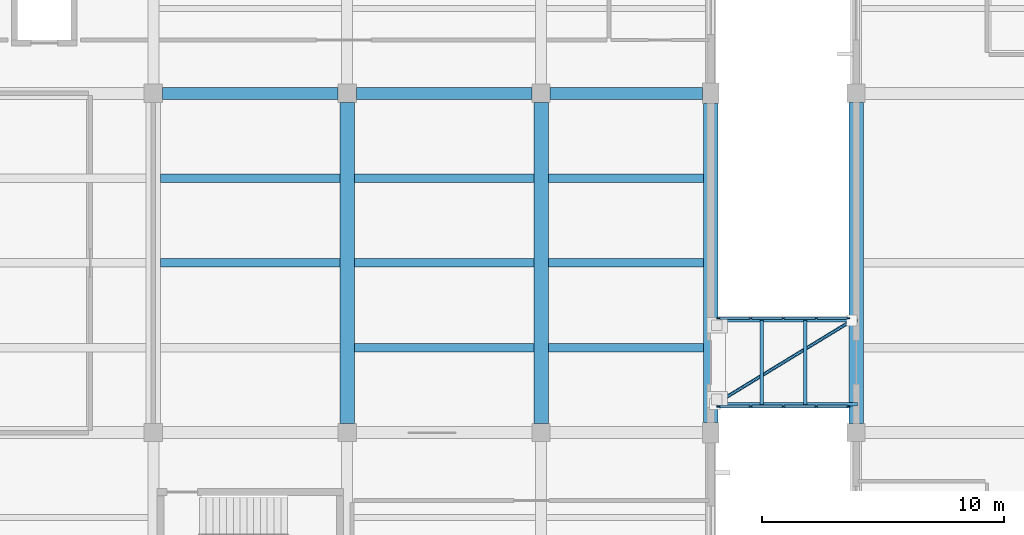
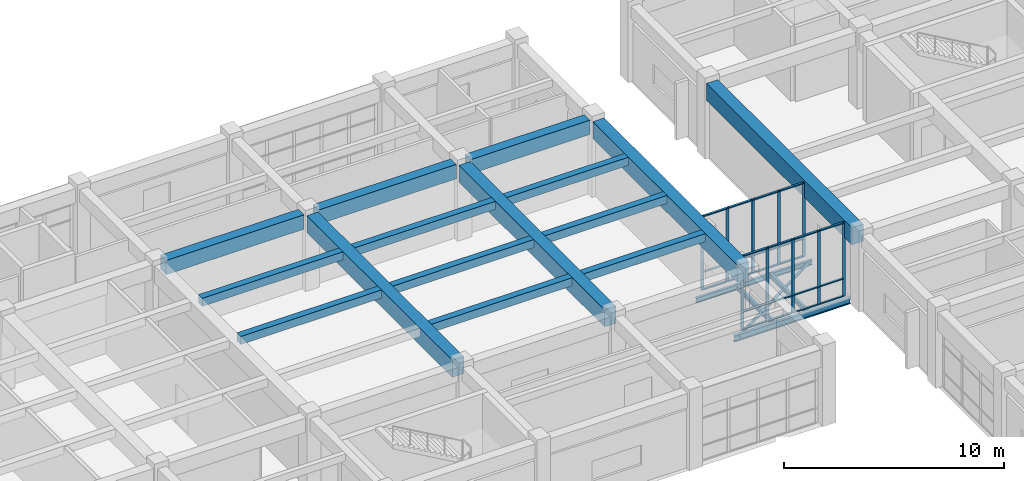
# One storey, part 27 of 70: 35 members, 19 beams, 2 elements without a shape of their own.
"""IFC4 building model written with IfcOpenShell, lengths in metres."""

from ifc_helpers import new_model, si_unit, direction, frame, origin, origin_2d, place, context, subcontext, project, spatial, rectangle, hollow_circle, i_section, extrude, material, layer, layer_set, material_profile, profile_set, type_object, element, aggregate, save


model = new_model("IFC4")

# Units and contexts
model_context = context("Model", 3, precision=1e-05, world=origin(), true_north=direction((0.0, 1.0)))
body_context = subcontext(model_context, "Body", "Model", "MODEL_VIEW")
ifc_project = project(units=[si_unit("LENGTHUNIT", "METRE"), si_unit("AREAUNIT", "SQUARE_METRE"), si_unit("VOLUMEUNIT", "CUBIC_METRE"), si_unit("PLANEANGLEUNIT", "RADIAN"), si_unit("MASSUNIT", "GRAM", prefix="KILO")], contexts=[model_context])

# Site, building, storey
site_placement = place(None, origin())
site = spatial("IfcSite", under=ifc_project, at=site_placement, CompositionType="ELEMENT")
building_placement = place(site_placement, origin())
building = spatial("IfcBuilding", under=site, at=building_placement, Name="Naurynzar Civic Courthouse", CompositionType="ELEMENT")
storey_placement = place(building_placement, frame((0.0, 0.0, 5.39990234375)))
storey = spatial("IfcBuildingStorey", under=building, at=storey_placement, Name="L02", CompositionType="ELEMENT", Elevation=5.39990234375)

# Beams
ifc_material_1 = material(Name="Concrete C40/50", Category="concrete")
ifc_material_profile_1 = material_profile(ifc_material_1, rectangle(XDim=0.60009765625, YDim=0.949951171875, at=origin_2d()), Name="PTB 600x950")
ifc_profile_set_1 = profile_set([ifc_material_profile_1], Name="Concrete C40/50")
beam_type_1 = type_object("IfcBeamType", Name="BM-PT-600x950", PredefinedType="T_BEAM", material=ifc_profile_set_1)
for number, where, z_axis, x_axis, name in (
    (1, (109.0, 51.375, 3.72509765625), (0.0, 1.0, 0.0), (-1.0, 0.0, 0.0), "V2 girder Y-518 L02"),
    (2, (117.0, 51.375, 3.72509765625), (0.0, 1.0, 0.0), (-1.0, 0.0, 0.0), "V2 girder Y-521 L02"),
):
    element("IfcBeam", number, at=place(storey_placement, frame(where, z_axis=z_axis, x_axis=x_axis)), inside=storey, type_object=beam_type_1, Name=name, PredefinedType="T_BEAM", context=body_context, shape_type="SweptSolid", body=[
        extrude(rectangle(XDim=0.60009765625, YDim=0.949951171875, at=origin_2d()), origin(), (0.0, 0.0, 1.0), 13.25),
    ])
beam_1_placement = place(storey_placement, frame((124.0, 51.425048828125, 3.72509765625), z_axis=(0.0, 1.0, 0.0), x_axis=(-1.0, 0.0, 0.0)))
element("IfcBeam", 3, at=beam_1_placement, inside=storey, type_object=beam_type_1, Name="V2 girder Y-524 L02", PredefinedType="T_BEAM", context=body_context, shape_type="SweptSolid", body=[
    extrude(rectangle(XDim=0.60009765625, YDim=0.949951171875, at=origin_2d()), origin(), (0.0, 0.0, 1.0), 13.14990234375),
])
beam_2_placement = place(storey_placement, frame((130.0, 51.375, 3.72509765625), z_axis=(0.0, 1.0, 0.0), x_axis=(-1.0, 0.0, 0.0)))
element("IfcBeam", 4, at=beam_2_placement, inside=storey, type_object=beam_type_1, Name="V5 girder Y-2304 L02", PredefinedType="T_BEAM", context=body_context, shape_type="SweptSolid", body=[
    extrude(rectangle(XDim=0.60009765625, YDim=0.949951171875, at=origin_2d()), origin(), (0.0, 0.0, 1.0), 13.25),
])
ifc_material_2 = material(Name="Concrete C40/50", Category="concrete")
ifc_material_profile_2 = material_profile(ifc_material_2, rectangle(XDim=0.35009765625, YDim=0.449951171875, at=origin_2d()), Name="RCB 350x450")
ifc_profile_set_2 = profile_set([ifc_material_profile_2], Name="Concrete C40/50")
beam_type_2 = type_object("IfcBeamType", Name="BM-RC-350x450", PredefinedType="BEAM", material=ifc_profile_set_2)
for number, where, z_axis, x_axis, name in (
    (5, (101.300048828125, 58.0, 3.97509765625), (1.0, 0.0, 0.0), (0.0, 1.0, 0.0), "V2 secondary rib 546 L02"),
    (6, (101.300048828125, 61.5, 3.97509765625), (1.0, 0.0, 0.0), (0.0, 1.0, 0.0), "V2 secondary rib 547 L02"),
    (7, (109.300048828125, 54.5, 3.97509765625), (1.0, 0.0, 0.0), (0.0, 1.0, 0.0), "V2 secondary rib 548 L02"),
    (8, (109.300048828125, 58.0, 3.97509765625), (1.0, 0.0, 0.0), (0.0, 1.0, 0.0), "V2 secondary rib 549 L02"),
    (9, (109.300048828125, 61.5, 3.97509765625), (1.0, 0.0, 0.0), (0.0, 1.0, 0.0), "V2 secondary rib 550 L02"),
):
    element("IfcBeam", number, at=place(storey_placement, frame(where, z_axis=z_axis, x_axis=x_axis)), inside=storey, type_object=beam_type_2, Name=name, PredefinedType="BEAM", context=body_context, shape_type="SweptSolid", body=[
        extrude(rectangle(XDim=0.35009765625, YDim=0.449951171875, at=origin_2d()), origin(), (0.0, 0.0, 1.0), 7.39990234375),
    ])
for number, where, z_axis, x_axis, name in (
    (10, (117.300048828125, 54.5, 3.97509765625), (1.0, 0.0, 0.0), (0.0, 1.0, 0.0), "V2 secondary rib 551 L02"),
    (11, (117.300048828125, 58.0, 3.97509765625), (1.0, 0.0, 0.0), (0.0, 1.0, 0.0), "V2 secondary rib 552 L02"),
    (12, (117.300048828125, 61.5, 3.97509765625), (1.0, 0.0, 0.0), (0.0, 1.0, 0.0), "V2 secondary rib 553 L02"),
):
    element("IfcBeam", number, at=place(storey_placement, frame(where, z_axis=z_axis, x_axis=x_axis)), inside=storey, type_object=beam_type_2, Name=name, PredefinedType="BEAM", context=body_context, shape_type="SweptSolid", body=[
        extrude(rectangle(XDim=0.35009765625, YDim=0.449951171875, at=origin_2d()), origin(), (0.0, 0.0, 1.0), 6.39990234375),
    ])
ifc_material_3 = material(Name="Concrete C40/50", Category="concrete")
ifc_material_profile_3 = material_profile(ifc_material_3, rectangle(XDim=0.5, YDim=0.800048828125, at=origin_2d()), Name="RCB 500x800")
ifc_profile_set_3 = profile_set([ifc_material_profile_3], Name="Concrete C40/50")
beam_type_3 = type_object("IfcBeamType", Name="BM-RC-500x800", PredefinedType="BEAM", material=ifc_profile_set_3)
for number, where, z_axis, x_axis, name in (
    (13, (101.375, 65.0, 3.800048828125), (1.0, 0.0, 0.0), (0.0, 1.0, 0.0), "V2 beam X-488 L02"),
    (14, (109.375, 65.0, 3.800048828125), (1.0, 0.0, 0.0), (0.0, 1.0, 0.0), "V2 beam X-489 L02"),
):
    element("IfcBeam", number, at=place(storey_placement, frame(where, z_axis=z_axis, x_axis=x_axis)), inside=storey, type_object=beam_type_3, Name=name, PredefinedType="BEAM", context=body_context, shape_type="SweptSolid", body=[
        extrude(rectangle(XDim=0.5, YDim=0.800048828125, at=origin_2d()), origin(), (0.0, 0.0, 1.0), 7.25),
    ])
beam_3_placement = place(storey_placement, frame((117.375, 65.0, 3.800048828125), z_axis=(1.0, 0.0, 0.0), x_axis=(0.0, 1.0, 0.0)))
element("IfcBeam", 15, at=beam_3_placement, inside=storey, type_object=beam_type_3, Name="V2 beam X-490 L02", PredefinedType="BEAM", context=body_context, shape_type="SweptSolid", body=[
    extrude(rectangle(XDim=0.5, YDim=0.800048828125, at=origin_2d()), origin(), (0.0, 0.0, 1.0), 6.27490234375),
])
ifc_material_4 = material(Name="Steel S355", Category="steel")
ifc_material_profile_4 = material_profile(ifc_material_4, i_section(OverallWidth=0.135009765625, OverallDepth=0.27001953125, WebThickness=0.006591796875, FlangeThickness=0.01025390625, FilletRadius=0.014892578125, at=origin_2d()), Name="IPE 270")
ifc_profile_set_4 = profile_set([ifc_material_profile_4], Name="Steel S355")
beam_type_4 = type_object("IfcBeamType", Name="BM-STL-IPE270", PredefinedType="BEAM", material=ifc_profile_set_4)
beam_4_placement = place(storey_placement, frame((123.949951171875, 55.6298828125, -0.375), z_axis=(1.0, 0.0, 0.0), x_axis=(0.0, 1.0, 0.0)))
element("IfcBeam", 16, at=beam_4_placement, inside=storey, type_object=beam_type_4, Name="BR-E1 edge steel beam L02.2", PredefinedType="BEAM", context=body_context, shape_type="SweptSolid", body=[
    extrude(i_section(OverallWidth=0.135009765625, OverallDepth=0.27001953125, WebThickness=0.006591796875, FlangeThickness=0.01025390625, FilletRadius=0.014892578125, at=origin_2d()), origin(), (0.0, 0.0, 1.0), 6.10009765625),
])
for number, where, z_axis, x_axis, name in (
    (17, (126.10595703125, 52.169921875, -0.375), (0.0, 1.0, 0.0), (-1.0, 0.0, 0.0), "BR-E1 deck cross-beam L02.1"),
    (18, (127.89404296875, 52.169921875, -0.375), (0.0, 1.0, 0.0), (-1.0, 0.0, 0.0), "BR-E1 deck cross-beam L02.2"),
):
    element("IfcBeam", number, at=place(storey_placement, frame(where, z_axis=z_axis, x_axis=x_axis)), inside=storey, type_object=beam_type_4, Name=name, PredefinedType="BEAM", context=body_context, shape_type="SweptSolid", body=[
        extrude(i_section(OverallWidth=0.135009765625, OverallDepth=0.27001953125, WebThickness=0.006591796875, FlangeThickness=0.01025390625, FilletRadius=0.014892578125, at=origin_2d()), origin(), (0.0, 0.0, 1.0), 3.4599609375),
    ])
ifc_material_5 = material(Name="Steel S355", Category="steel")
ifc_material_profile_5 = material_profile(ifc_material_5, i_section(OverallWidth=0.159912109375, OverallDepth=0.330078125, WebThickness=0.007568359375, FlangeThickness=0.011474609375, FilletRadius=0.01806640625, at=origin_2d()), Name="IPE 330")
ifc_profile_set_5 = profile_set([ifc_material_profile_5], Name="Steel S355")
beam_type_5 = type_object("IfcBeamType", Name="BM-STL-IPE330", PredefinedType="BEAM", material=ifc_profile_set_5)
beam_5_placement = place(storey_placement, frame((123.949951171875, 52.169921875, -0.40478515625), z_axis=(1.0, 0.0, 0.0), x_axis=(0.0, 1.0, 0.0)))
element("IfcBeam", 19, at=beam_5_placement, inside=storey, type_object=beam_type_5, Name="BR-E1 edge steel beam L02.1", PredefinedType="BEAM", context=body_context, shape_type="SweptSolid", body=[
    extrude(i_section(OverallWidth=0.159912109375, OverallDepth=0.330078125, WebThickness=0.007568359375, FlangeThickness=0.011474609375, FilletRadius=0.01806640625, at=origin_2d()), origin(), (0.0, 0.0, 1.0), 6.10009765625),
])

# Curtain wall, members
ifc_material_6 = material(Name="Aluminium 6063-T6", Category="aluminium")
ifc_layer = layer(ifc_material_6, 0.14990234375)
ifc_layer_set = layer_set([ifc_layer], Name="CW-BRIDGE-1500")
curtain_wall_type = type_object("IfcCurtainWallType", Name="CW-BRIDGE-1500", PredefinedType="USERDEFINED", material=ifc_layer_set)
curtain_wall_1_placement = place(storey_placement, origin())
curtain_wall_1 = element("IfcCurtainWall", 20, at=curtain_wall_1_placement, inside=storey, type_object=curtain_wall_type, Name="BR-E1 glazed bridge screen L02.1", ObjectType="GLAZED BRIDGE SCREEN", PredefinedType="USERDEFINED")
ifc_material_7 = material(Name="Aluminium 6063-T6", Category="aluminium")
ifc_material_profile_6 = material_profile(ifc_material_7, rectangle(XDim=0.06005859375, YDim=0.14990234375, at=origin_2d()), Name="ALU MULLION 60x150")
ifc_profile_set_6 = profile_set([ifc_material_profile_6], Name="Aluminium 6063-T6")
member_type_1 = type_object("IfcMemberType", Name="CWM-60x150", PredefinedType="MULLION", material=ifc_profile_set_6)
member_1_placement = place(storey_placement, frame((124.330078125, 52.080078125, 0.0), z_axis=(0.0, 0.0, 1.0), x_axis=(0.0, 1.0, 0.0)))
member_1 = element("IfcMember", 21, at=member_1_placement, type_object=member_type_1, Name="CW-03 mullion 1", PredefinedType="MULLION", context=body_context, shape_type="SweptSolid", body=[
    extrude(rectangle(XDim=0.06005859375, YDim=0.14990234375, at=origin_2d()), origin(), (0.0, 0.0, 1.0), 4.1201171875),
])
member_2_placement = place(storey_placement, frame((125.64990234375, 52.080078125, 0.0), z_axis=(0.0, 0.0, 1.0), x_axis=(0.0, 1.0, 0.0)))
member_2 = element("IfcMember", 22, at=member_2_placement, type_object=member_type_1, Name="CW-03 mullion 2", PredefinedType="MULLION", context=body_context, shape_type="SweptSolid", body=[
    extrude(rectangle(XDim=0.06005859375, YDim=0.14990234375, at=origin_2d()), origin(), (0.0, 0.0, 1.0), 4.1201171875),
])
member_3_placement = place(storey_placement, frame((127.0, 52.080078125, 0.0), z_axis=(0.0, 0.0, 1.0), x_axis=(0.0, 1.0, 0.0)))
member_3 = element("IfcMember", 23, at=member_3_placement, type_object=member_type_1, Name="CW-03 mullion 3", PredefinedType="MULLION", context=body_context, shape_type="SweptSolid", body=[
    extrude(rectangle(XDim=0.06005859375, YDim=0.14990234375, at=origin_2d()), origin(), (0.0, 0.0, 1.0), 4.1201171875),
])
member_4_placement = place(storey_placement, frame((128.35009765625, 52.080078125, 0.0), z_axis=(0.0, 0.0, 1.0), x_axis=(0.0, 1.0, 0.0)))
member_4 = element("IfcMember", 24, at=member_4_placement, type_object=member_type_1, Name="CW-03 mullion 4", PredefinedType="MULLION", context=body_context, shape_type="SweptSolid", body=[
    extrude(rectangle(XDim=0.06005859375, YDim=0.14990234375, at=origin_2d()), origin(), (0.0, 0.0, 1.0), 4.1201171875),
])
member_5_placement = place(storey_placement, frame((129.669921875, 52.080078125, 0.0), z_axis=(0.0, 0.0, 1.0), x_axis=(0.0, 1.0, 0.0)))
member_5 = element("IfcMember", 25, at=member_5_placement, type_object=member_type_1, Name="CW-03 mullion 5", PredefinedType="MULLION", context=body_context, shape_type="SweptSolid", body=[
    extrude(rectangle(XDim=0.06005859375, YDim=0.14990234375, at=origin_2d()), origin(), (0.0, 0.0, 1.0), 4.1201171875),
])

curtain_wall_2_placement = place(storey_placement, origin())
curtain_wall_2 = element("IfcCurtainWall", 26, at=curtain_wall_2_placement, inside=storey, type_object=curtain_wall_type, Name="BR-E1 glazed bridge screen L02.2", ObjectType="GLAZED BRIDGE SCREEN", PredefinedType="USERDEFINED")
member_6_placement = place(storey_placement, frame((129.669921875, 55.719970703125, 0.0), z_axis=(0.0, 0.0, 1.0), x_axis=(0.0, -1.0, 0.0)))
member_6 = element("IfcMember", 27, at=member_6_placement, type_object=member_type_1, Name="CW-03 mullion 1", PredefinedType="MULLION", context=body_context, shape_type="SweptSolid", body=[
    extrude(rectangle(XDim=0.06005859375, YDim=0.14990234375, at=origin_2d()), origin(), (0.0, 0.0, 1.0), 4.1201171875),
])
member_7_placement = place(storey_placement, frame((128.35009765625, 55.719970703125, 0.0), z_axis=(0.0, 0.0, 1.0), x_axis=(0.0, -1.0, 0.0)))
member_7 = element("IfcMember", 28, at=member_7_placement, type_object=member_type_1, Name="CW-03 mullion 2", PredefinedType="MULLION", context=body_context, shape_type="SweptSolid", body=[
    extrude(rectangle(XDim=0.06005859375, YDim=0.14990234375, at=origin_2d()), origin(), (0.0, 0.0, 1.0), 4.1201171875),
])
member_8_placement = place(storey_placement, frame((127.0, 55.719970703125, 0.0), z_axis=(0.0, 0.0, 1.0), x_axis=(0.0, -1.0, 0.0)))
member_8 = element("IfcMember", 29, at=member_8_placement, type_object=member_type_1, Name="CW-03 mullion 3", PredefinedType="MULLION", context=body_context, shape_type="SweptSolid", body=[
    extrude(rectangle(XDim=0.06005859375, YDim=0.14990234375, at=origin_2d()), origin(), (0.0, 0.0, 1.0), 4.1201171875),
])
member_9_placement = place(storey_placement, frame((125.64990234375, 55.719970703125, 0.0), z_axis=(0.0, 0.0, 1.0), x_axis=(0.0, -1.0, 0.0)))
member_9 = element("IfcMember", 30, at=member_9_placement, type_object=member_type_1, Name="CW-03 mullion 4", PredefinedType="MULLION", context=body_context, shape_type="SweptSolid", body=[
    extrude(rectangle(XDim=0.06005859375, YDim=0.14990234375, at=origin_2d()), origin(), (0.0, 0.0, 1.0), 4.1201171875),
])
member_10_placement = place(storey_placement, frame((124.330078125, 55.719970703125, 0.0), z_axis=(0.0, 0.0, 1.0), x_axis=(0.0, -1.0, 0.0)))
member_10 = element("IfcMember", 31, at=member_10_placement, type_object=member_type_1, Name="CW-03 mullion 5", PredefinedType="MULLION", context=body_context, shape_type="SweptSolid", body=[
    extrude(rectangle(XDim=0.06005859375, YDim=0.14990234375, at=origin_2d()), origin(), (0.0, 0.0, 1.0), 4.1201171875),
])

# Member
ifc_material_8 = material(Name="Aluminium 6063-T6", Category="aluminium")
ifc_material_profile_7 = material_profile(ifc_material_8, rectangle(XDim=0.110107421875, YDim=0.06005859375, at=origin_2d()), Name="ALU TRANSOM 60x110")
ifc_profile_set_7 = profile_set([ifc_material_profile_7], Name="Aluminium 6063-T6")
member_type_2 = type_object("IfcMemberType", Name="CWT-60x110", PredefinedType="USERDEFINED", material=ifc_profile_set_7)
member_11_placement = place(storey_placement, frame((124.360107421875, 52.080078125, 0.030029296875), z_axis=(1.0, 0.0, 0.0), x_axis=(0.0, 1.0, 0.0)))
member_11 = element("IfcMember", 32, at=member_11_placement, type_object=member_type_2, Name="CW-03 transom 1.1", ObjectType="TRANSOM", PredefinedType="USERDEFINED", context=body_context, shape_type="SweptSolid", body=[
    extrude(rectangle(XDim=0.110107421875, YDim=0.06005859375, at=origin_2d()), origin(), (0.0, 0.0, 1.0), 1.260009765625),
])

member_12_placement = place(storey_placement, frame((124.360107421875, 52.080078125, 1.0), z_axis=(1.0, 0.0, 0.0), x_axis=(0.0, 1.0, 0.0)))
member_12 = element("IfcMember", 33, at=member_12_placement, type_object=member_type_2, Name="CW-03 transom 1.2", ObjectType="TRANSOM", PredefinedType="USERDEFINED", context=body_context, shape_type="SweptSolid", body=[
    extrude(rectangle(XDim=0.110107421875, YDim=0.06005859375, at=origin_2d()), origin(), (0.0, 0.0, 1.0), 1.260009765625),
])

member_13_placement = place(storey_placement, frame((124.360107421875, 52.080078125, 4.090087890625), z_axis=(1.0, 0.0, 0.0), x_axis=(0.0, 1.0, 0.0)))
member_13 = element("IfcMember", 34, at=member_13_placement, type_object=member_type_2, Name="CW-03 transom 1.3", ObjectType="TRANSOM", PredefinedType="USERDEFINED", context=body_context, shape_type="SweptSolid", body=[
    extrude(rectangle(XDim=0.110107421875, YDim=0.06005859375, at=origin_2d()), origin(), (0.0, 0.0, 1.0), 1.260009765625),
])

member_14_placement = place(storey_placement, frame((125.679931640625, 52.080078125, 0.030029296875), z_axis=(1.0, 0.0, 0.0), x_axis=(0.0, 1.0, 0.0)))
member_14 = element("IfcMember", 35, at=member_14_placement, type_object=member_type_2, Name="CW-03 transom 2.1", ObjectType="TRANSOM", PredefinedType="USERDEFINED", context=body_context, shape_type="SweptSolid", body=[
    extrude(rectangle(XDim=0.110107421875, YDim=0.06005859375, at=origin_2d()), origin(), (0.0, 0.0, 1.0), 1.2900390625),
])

member_15_placement = place(storey_placement, frame((125.679931640625, 52.080078125, 1.0), z_axis=(1.0, 0.0, 0.0), x_axis=(0.0, 1.0, 0.0)))
member_15 = element("IfcMember", 36, at=member_15_placement, type_object=member_type_2, Name="CW-03 transom 2.2", ObjectType="TRANSOM", PredefinedType="USERDEFINED", context=body_context, shape_type="SweptSolid", body=[
    extrude(rectangle(XDim=0.110107421875, YDim=0.06005859375, at=origin_2d()), origin(), (0.0, 0.0, 1.0), 1.2900390625),
])

member_16_placement = place(storey_placement, frame((125.679931640625, 52.080078125, 4.090087890625), z_axis=(1.0, 0.0, 0.0), x_axis=(0.0, 1.0, 0.0)))
member_16 = element("IfcMember", 37, at=member_16_placement, type_object=member_type_2, Name="CW-03 transom 2.3", ObjectType="TRANSOM", PredefinedType="USERDEFINED", context=body_context, shape_type="SweptSolid", body=[
    extrude(rectangle(XDim=0.110107421875, YDim=0.06005859375, at=origin_2d()), origin(), (0.0, 0.0, 1.0), 1.2900390625),
])

member_17_placement = place(storey_placement, frame((127.030029296875, 52.080078125, 0.030029296875), z_axis=(1.0, 0.0, 0.0), x_axis=(0.0, 1.0, 0.0)))
member_17 = element("IfcMember", 38, at=member_17_placement, type_object=member_type_2, Name="CW-03 transom 3.1", ObjectType="TRANSOM", PredefinedType="USERDEFINED", context=body_context, shape_type="SweptSolid", body=[
    extrude(rectangle(XDim=0.110107421875, YDim=0.06005859375, at=origin_2d()), origin(), (0.0, 0.0, 1.0), 1.2900390625),
])

member_18_placement = place(storey_placement, frame((127.030029296875, 52.080078125, 1.0), z_axis=(1.0, 0.0, 0.0), x_axis=(0.0, 1.0, 0.0)))
member_18 = element("IfcMember", 39, at=member_18_placement, type_object=member_type_2, Name="CW-03 transom 3.2", ObjectType="TRANSOM", PredefinedType="USERDEFINED", context=body_context, shape_type="SweptSolid", body=[
    extrude(rectangle(XDim=0.110107421875, YDim=0.06005859375, at=origin_2d()), origin(), (0.0, 0.0, 1.0), 1.2900390625),
])

member_19_placement = place(storey_placement, frame((127.030029296875, 52.080078125, 4.090087890625), z_axis=(1.0, 0.0, 0.0), x_axis=(0.0, 1.0, 0.0)))
member_19 = element("IfcMember", 40, at=member_19_placement, type_object=member_type_2, Name="CW-03 transom 3.3", ObjectType="TRANSOM", PredefinedType="USERDEFINED", context=body_context, shape_type="SweptSolid", body=[
    extrude(rectangle(XDim=0.110107421875, YDim=0.06005859375, at=origin_2d()), origin(), (0.0, 0.0, 1.0), 1.2900390625),
])

member_20_placement = place(storey_placement, frame((128.3798828125, 52.080078125, 0.030029296875), z_axis=(1.0, 0.0, 0.0), x_axis=(0.0, 1.0, 0.0)))
member_20 = element("IfcMember", 41, at=member_20_placement, type_object=member_type_2, Name="CW-03 transom 4.1", ObjectType="TRANSOM", PredefinedType="USERDEFINED", context=body_context, shape_type="SweptSolid", body=[
    extrude(rectangle(XDim=0.110107421875, YDim=0.06005859375, at=origin_2d()), origin(), (0.0, 0.0, 1.0), 1.260009765625),
])

member_21_placement = place(storey_placement, frame((128.3798828125, 52.080078125, 1.0), z_axis=(1.0, 0.0, 0.0), x_axis=(0.0, 1.0, 0.0)))
member_21 = element("IfcMember", 42, at=member_21_placement, type_object=member_type_2, Name="CW-03 transom 4.2", ObjectType="TRANSOM", PredefinedType="USERDEFINED", context=body_context, shape_type="SweptSolid", body=[
    extrude(rectangle(XDim=0.110107421875, YDim=0.06005859375, at=origin_2d()), origin(), (0.0, 0.0, 1.0), 1.260009765625),
])

member_22_placement = place(storey_placement, frame((128.3798828125, 52.080078125, 4.090087890625), z_axis=(1.0, 0.0, 0.0), x_axis=(0.0, 1.0, 0.0)))
member_22 = element("IfcMember", 43, at=member_22_placement, type_object=member_type_2, Name="CW-03 transom 4.3", ObjectType="TRANSOM", PredefinedType="USERDEFINED", context=body_context, shape_type="SweptSolid", body=[
    extrude(rectangle(XDim=0.110107421875, YDim=0.06005859375, at=origin_2d()), origin(), (0.0, 0.0, 1.0), 1.260009765625),
])

aggregate(curtain_wall_1, [member_1, member_2, member_3, member_4, member_5, member_11, member_12, member_13, member_14, member_15, member_16, member_17, member_18, member_19, member_20, member_21, member_22])

member_23_placement = place(storey_placement, frame((129.639892578125, 55.719970703125, 0.030029296875), z_axis=(-1.0, 0.0, 0.0), x_axis=(0.0, -1.0, 0.0)))
member_23 = element("IfcMember", 44, at=member_23_placement, type_object=member_type_2, Name="CW-03 transom 1.1", ObjectType="TRANSOM", PredefinedType="USERDEFINED", context=body_context, shape_type="SweptSolid", body=[
    extrude(rectangle(XDim=0.110107421875, YDim=0.06005859375, at=origin_2d()), origin(), (0.0, 0.0, 1.0), 1.260009765625),
])

member_24_placement = place(storey_placement, frame((129.639892578125, 55.719970703125, 1.0), z_axis=(-1.0, 0.0, 0.0), x_axis=(0.0, -1.0, 0.0)))
member_24 = element("IfcMember", 45, at=member_24_placement, type_object=member_type_2, Name="CW-03 transom 1.2", ObjectType="TRANSOM", PredefinedType="USERDEFINED", context=body_context, shape_type="SweptSolid", body=[
    extrude(rectangle(XDim=0.110107421875, YDim=0.06005859375, at=origin_2d()), origin(), (0.0, 0.0, 1.0), 1.260009765625),
])

member_25_placement = place(storey_placement, frame((129.639892578125, 55.719970703125, 4.090087890625), z_axis=(-1.0, 0.0, 0.0), x_axis=(0.0, -1.0, 0.0)))
member_25 = element("IfcMember", 46, at=member_25_placement, type_object=member_type_2, Name="CW-03 transom 1.3", ObjectType="TRANSOM", PredefinedType="USERDEFINED", context=body_context, shape_type="SweptSolid", body=[
    extrude(rectangle(XDim=0.110107421875, YDim=0.06005859375, at=origin_2d()), origin(), (0.0, 0.0, 1.0), 1.260009765625),
])

member_26_placement = place(storey_placement, frame((128.320068359375, 55.719970703125, 0.030029296875), z_axis=(-1.0, 0.0, 0.0), x_axis=(0.0, -1.0, 0.0)))
member_26 = element("IfcMember", 47, at=member_26_placement, type_object=member_type_2, Name="CW-03 transom 2.1", ObjectType="TRANSOM", PredefinedType="USERDEFINED", context=body_context, shape_type="SweptSolid", body=[
    extrude(rectangle(XDim=0.110107421875, YDim=0.06005859375, at=origin_2d()), origin(), (0.0, 0.0, 1.0), 1.2900390625),
])

member_27_placement = place(storey_placement, frame((128.320068359375, 55.719970703125, 1.0), z_axis=(-1.0, 0.0, 0.0), x_axis=(0.0, -1.0, 0.0)))
member_27 = element("IfcMember", 48, at=member_27_placement, type_object=member_type_2, Name="CW-03 transom 2.2", ObjectType="TRANSOM", PredefinedType="USERDEFINED", context=body_context, shape_type="SweptSolid", body=[
    extrude(rectangle(XDim=0.110107421875, YDim=0.06005859375, at=origin_2d()), origin(), (0.0, 0.0, 1.0), 1.2900390625),
])

member_28_placement = place(storey_placement, frame((128.320068359375, 55.719970703125, 4.090087890625), z_axis=(-1.0, 0.0, 0.0), x_axis=(0.0, -1.0, 0.0)))
member_28 = element("IfcMember", 49, at=member_28_placement, type_object=member_type_2, Name="CW-03 transom 2.3", ObjectType="TRANSOM", PredefinedType="USERDEFINED", context=body_context, shape_type="SweptSolid", body=[
    extrude(rectangle(XDim=0.110107421875, YDim=0.06005859375, at=origin_2d()), origin(), (0.0, 0.0, 1.0), 1.2900390625),
])

member_29_placement = place(storey_placement, frame((126.969970703125, 55.719970703125, 0.030029296875), z_axis=(-1.0, 0.0, 0.0), x_axis=(0.0, -1.0, 0.0)))
member_29 = element("IfcMember", 50, at=member_29_placement, type_object=member_type_2, Name="CW-03 transom 3.1", ObjectType="TRANSOM", PredefinedType="USERDEFINED", context=body_context, shape_type="SweptSolid", body=[
    extrude(rectangle(XDim=0.110107421875, YDim=0.06005859375, at=origin_2d()), origin(), (0.0, 0.0, 1.0), 1.2900390625),
])

member_30_placement = place(storey_placement, frame((126.969970703125, 55.719970703125, 1.0), z_axis=(-1.0, 0.0, 0.0), x_axis=(0.0, -1.0, 0.0)))
member_30 = element("IfcMember", 51, at=member_30_placement, type_object=member_type_2, Name="CW-03 transom 3.2", ObjectType="TRANSOM", PredefinedType="USERDEFINED", context=body_context, shape_type="SweptSolid", body=[
    extrude(rectangle(XDim=0.110107421875, YDim=0.06005859375, at=origin_2d()), origin(), (0.0, 0.0, 1.0), 1.2900390625),
])

member_31_placement = place(storey_placement, frame((126.969970703125, 55.719970703125, 4.090087890625), z_axis=(-1.0, 0.0, 0.0), x_axis=(0.0, -1.0, 0.0)))
member_31 = element("IfcMember", 52, at=member_31_placement, type_object=member_type_2, Name="CW-03 transom 3.3", ObjectType="TRANSOM", PredefinedType="USERDEFINED", context=body_context, shape_type="SweptSolid", body=[
    extrude(rectangle(XDim=0.110107421875, YDim=0.06005859375, at=origin_2d()), origin(), (0.0, 0.0, 1.0), 1.2900390625),
])

member_32_placement = place(storey_placement, frame((125.6201171875, 55.719970703125, 0.030029296875), z_axis=(-1.0, 0.0, 0.0), x_axis=(0.0, -1.0, 0.0)))
member_32 = element("IfcMember", 53, at=member_32_placement, type_object=member_type_2, Name="CW-03 transom 4.1", ObjectType="TRANSOM", PredefinedType="USERDEFINED", context=body_context, shape_type="SweptSolid", body=[
    extrude(rectangle(XDim=0.110107421875, YDim=0.06005859375, at=origin_2d()), origin(), (0.0, 0.0, 1.0), 1.260009765625),
])

member_33_placement = place(storey_placement, frame((125.6201171875, 55.719970703125, 1.0), z_axis=(-1.0, 0.0, 0.0), x_axis=(0.0, -1.0, 0.0)))
member_33 = element("IfcMember", 54, at=member_33_placement, type_object=member_type_2, Name="CW-03 transom 4.2", ObjectType="TRANSOM", PredefinedType="USERDEFINED", context=body_context, shape_type="SweptSolid", body=[
    extrude(rectangle(XDim=0.110107421875, YDim=0.06005859375, at=origin_2d()), origin(), (0.0, 0.0, 1.0), 1.260009765625),
])

member_34_placement = place(storey_placement, frame((125.6201171875, 55.719970703125, 4.090087890625), z_axis=(-1.0, 0.0, 0.0), x_axis=(0.0, -1.0, 0.0)))
member_34 = element("IfcMember", 55, at=member_34_placement, type_object=member_type_2, Name="CW-03 transom 4.3", ObjectType="TRANSOM", PredefinedType="USERDEFINED", context=body_context, shape_type="SweptSolid", body=[
    extrude(rectangle(XDim=0.110107421875, YDim=0.06005859375, at=origin_2d()), origin(), (0.0, 0.0, 1.0), 1.260009765625),
])

aggregate(curtain_wall_2, [member_6, member_7, member_8, member_9, member_10, member_23, member_24, member_25, member_26, member_27, member_28, member_29, member_30, member_31, member_32, member_33, member_34])

ifc_material_9 = material(Name="Steel S355", Category="steel")
ifc_material_profile_8 = material_profile(ifc_material_9, hollow_circle(Radius=0.06982421875, WallThickness=0.008056640625, at=origin_2d()), Name="CHS 139.7x8")
ifc_profile_set_8 = profile_set([ifc_material_profile_8], Name="Steel S355")
member_type_3 = type_object("IfcMemberType", Name="MEM-BRACE-CHS139", PredefinedType="BRACE", material=ifc_profile_set_8)
member_35_placement = place(storey_placement, frame((124.179931640625, 52.179931640625, -0.40478515625), z_axis=(0.853723652651, 0.520726343585, 0.0), x_axis=(-0.520726343585, 0.853723652651, 0.0)))
element("IfcMember", 56, at=member_35_placement, inside=storey, type_object=member_type_3, Name="BR-E1 wind brace L02.1", PredefinedType="BRACE", context=body_context, shape_type="SweptSolid", body=[
    extrude(hollow_circle(Radius=0.06982421875, WallThickness=0.008056640625, at=origin_2d()), origin(), (0.0, 0.0, 1.0), 6.6064453125),
])

save(model, "model.ifc")
